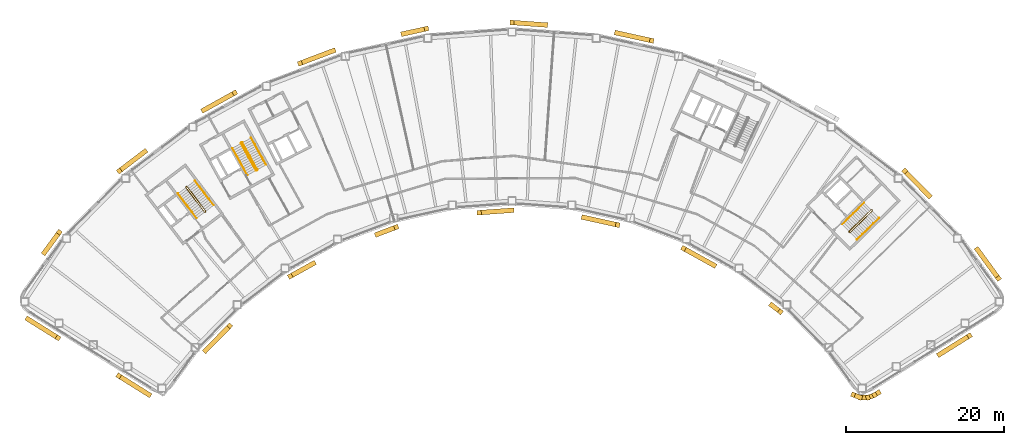
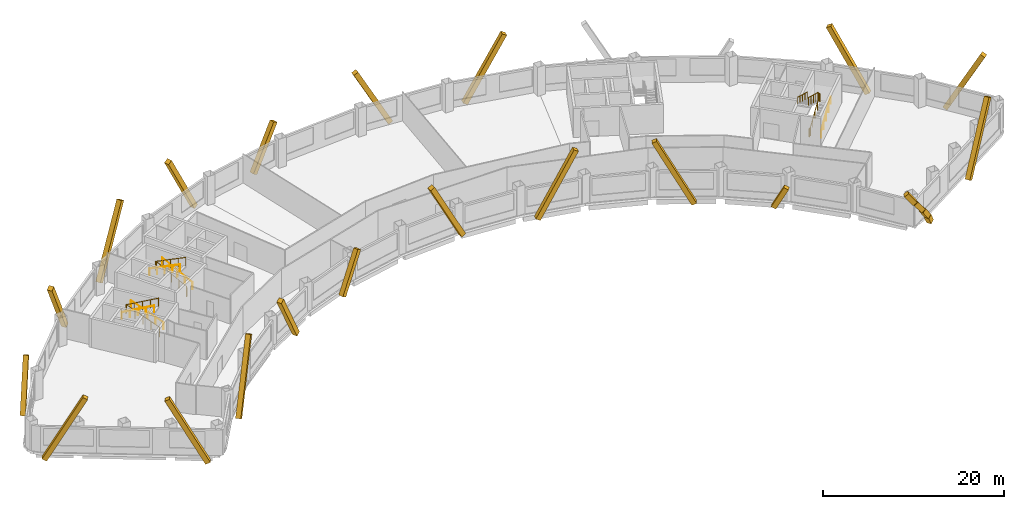
# One storey, part 10 of 11: 23 coverings, 9 railings.
"""IFC4 building model written with IfcOpenShell, lengths in metres."""

from ifc_helpers import new_model, si_unit, direction, frame, origin, origin_2d, place, context, subcontext, project, spatial, rectangle, circle, extrude, material, material_profile, profile_set, type_object, element, save


model = new_model("IFC4")

# Units and contexts
model_context = context("Model", 3, precision=1e-05, world=origin(), true_north=direction((0.0, 1.0)))
body_context = subcontext(model_context, "Body", "Model", "MODEL_VIEW")
ifc_project = project(units=[si_unit("LENGTHUNIT", "METRE"), si_unit("AREAUNIT", "SQUARE_METRE"), si_unit("VOLUMEUNIT", "CUBIC_METRE"), si_unit("PLANEANGLEUNIT", "RADIAN"), si_unit("MASSUNIT", "GRAM", prefix="KILO")], contexts=[model_context])

# Site, building, storey
site_placement = place(None, origin())
site = spatial("IfcSite", under=ifc_project, at=site_placement, CompositionType="ELEMENT")
building_placement = place(site_placement, origin())
building = spatial("IfcBuilding", under=site, at=building_placement, Name="Tuul Gate Civic Tower", CompositionType="ELEMENT")
storey_placement = place(building_placement, frame((0.0, 0.0, 155.0)))
storey = spatial("IfcBuildingStorey", under=building, at=storey_placement, Name="Level 35", CompositionType="ELEMENT", Elevation=155.0)

# Railings
ifc_material_1 = material(Name="Painted steel", Category="steel")
railing_type_1 = type_object("IfcRailingType", Name="Stair guard", PredefinedType="GUARDRAIL", material=ifc_material_1)
railing_1_placement = place(storey_placement, frame((-33.382080078125, -13.515380859375, 0.0)))
element("IfcRailing", 1, at=railing_1_placement, inside=storey, type_object=railing_type_1, Name="Level 35 ST-1 stair guard 1", PredefinedType="GUARDRAIL", context=body_context, shape_type="SweptSolid", body=[
    extrude(circle(Radius=0.02392578125, at=origin_2d()), frame((0.0, 0.0, 1.076171875), z_axis=(-0.795879841968, -0.605454603706, 0.0), x_axis=(0.605454603706, -0.795879841968, 0.0)), (0.0, 0.0, 1.0), 0.10009765625),
    extrude(circle(Radius=0.02392578125, at=origin_2d()), frame((-0.07958984375, -0.060546875, 1.076171875), z_axis=(0.408991890351, 0.599481263939, 0.688002796371), x_axis=(-0.826063974707, 0.563576356576, 0.0)), (0.0, 0.0, 1.0), 0.2177734375),
    extrude(circle(Radius=0.02392578125, at=origin_2d()), frame((0.009521484375, 0.070068359375, 1.22607421875), z_axis=(-0.541810893183, 0.711627203922, 0.44724454012), x_axis=(-0.795637165283, -0.60577347352, 0.0)), (0.0, 0.0, 1.0), 4.3603515625),
    extrude(circle(Radius=0.02392578125, at=origin_2d()), frame((-2.35302734375, 3.173095703125, 3.17626953125), z_axis=(-0.990893089246, 0.134650977284, 0.0), x_axis=(-0.134650977284, -0.990893089246, 0.0)), (0.0, 0.0, 1.0), 0.07080078125),
    extrude(circle(Radius=0.02392578125, at=origin_2d()), frame((-2.423095703125, 3.1826171875, 3.17626953125), z_axis=(-0.793802879778, -0.60817512943, 0.0), x_axis=(0.60817512943, -0.793802879778, 0.0)), (0.0, 0.0, 1.0), 0.099853515625),
    extrude(circle(Radius=0.02392578125, at=origin_2d()), frame((-2.50244140625, 3.121826171875, 3.17626953125), z_axis=(-0.057447065493, -0.422751481959, 0.904423031091), x_axis=(0.990893089246, -0.134650977284, 0.0)), (0.0, 0.0, 1.0), 0.165771484375),
    extrude(circle(Radius=0.02392578125, at=origin_2d()), frame((-2.511962890625, 3.0517578125, 3.326171875), z_axis=(0.541806494602, -0.71163897684, 0.447231136047), x_axis=(0.795644365679, 0.605764016233, 0.0)), (0.0, 0.0, 1.0), 4.360107421875),
    extrude(circle(Radius=0.02099609375, at=origin_2d()), origin(), (0.0, 0.0, 1.0), 1.052001953125),
    extrude(circle(Radius=0.02099609375, at=origin_2d()), frame((-0.07958984375, -0.060546875, 0.0)), (0.0, 0.0, 1.0), 1.052001953125),
    extrude(circle(Radius=0.02099609375, at=origin_2d()), frame((0.009521484375, 0.070068359375, 0.14990234375)), (0.0, 0.0, 1.0), 1.052001953125),
    extrude(circle(Radius=0.02099609375, at=origin_2d()), frame((-0.5810546875, 0.845703125, 0.637451171875)), (0.0, 0.0, 1.0), 1.052001953125),
    extrude(circle(Radius=0.02099609375, at=origin_2d()), frame((-1.171875, 1.62158203125, 1.125)), (0.0, 0.0, 1.0), 1.052001953125),
    extrude(circle(Radius=0.02099609375, at=origin_2d()), frame((-1.762451171875, 2.3974609375, 1.612548828125)), (0.0, 0.0, 1.0), 1.052001953125),
    extrude(circle(Radius=0.02099609375, at=origin_2d()), frame((-2.35302734375, 3.173095703125, 2.10009765625)), (0.0, 0.0, 1.0), 1.052001953125),
    extrude(circle(Radius=0.02099609375, at=origin_2d()), frame((-2.423095703125, 3.1826171875, 2.10009765625)), (0.0, 0.0, 1.0), 1.052001953125),
    extrude(circle(Radius=0.02099609375, at=origin_2d()), frame((-2.50244140625, 3.121826171875, 2.10009765625)), (0.0, 0.0, 1.0), 1.052001953125),
    extrude(circle(Radius=0.02099609375, at=origin_2d()), frame((-2.511962890625, 3.0517578125, 2.25)), (0.0, 0.0, 1.0), 1.052001953125),
    extrude(circle(Radius=0.02099609375, at=origin_2d()), frame((-1.92138671875, 2.276123046875, 2.737548828125)), (0.0, 0.0, 1.0), 1.052001953125),
    extrude(circle(Radius=0.02099609375, at=origin_2d()), frame((-1.330810546875, 1.50048828125, 3.22509765625)), (0.0, 0.0, 1.0), 1.052001953125),
    extrude(circle(Radius=0.02099609375, at=origin_2d()), frame((-0.740234375, 0.724609375, 3.71240234375)), (0.0, 0.0, 1.0), 1.052001953125),
    extrude(circle(Radius=0.02099609375, at=origin_2d()), frame((-0.149658203125, -0.051025390625, 4.199951171875)), (0.0, 0.0, 1.0), 1.052001953125),
])
railing_2_placement = place(storey_placement, frame((-26.857666015625, -8.247314453125, 0.0)))
element("IfcRailing", 2, at=railing_2_placement, inside=storey, type_object=railing_type_1, Name="Level 35 ST-2 stair guard 1", PredefinedType="GUARDRAIL", context=body_context, shape_type="SweptSolid", body=[
    extrude(circle(Radius=0.02392578125, at=origin_2d()), frame((0.0, 0.0, 1.076171875), z_axis=(-0.874616555828, -0.48481530532, 0.0), x_axis=(0.48481530532, -0.874616555828, 0.0)), (0.0, 0.0, 1.0), 0.10009765625),
    extrude(circle(Radius=0.02392578125, at=origin_2d()), frame((-0.087646484375, -0.048583984375, 1.076171875), z_axis=(0.49081399482, 0.534516610797, 0.688036056665), x_axis=(-0.736576986774, 0.676353711126, 0.0)), (0.0, 0.0, 1.0), 0.2177734375),
    extrude(circle(Radius=0.02392578125, at=origin_2d()), frame((0.019287109375, 0.06787109375, 1.22607421875), z_axis=(-0.433539057192, 0.782307594871, 0.447256875739), x_axis=(-0.874667644053, -0.484723129681, 0.0)), (0.0, 0.0, 1.0), 4.3603515625),
    extrude(circle(Radius=0.02392578125, at=origin_2d()), frame((-1.87109375, 3.47900390625, 3.17626953125), z_axis=(-0.961263487578, 0.275631107549, 0.0), x_axis=(-0.275631107549, -0.961263487578, 0.0)), (0.0, 0.0, 1.0), 0.07080078125),
    extrude(circle(Radius=0.02392578125, at=origin_2d()), frame((-1.939208984375, 3.49853515625, 3.17626953125), z_axis=(-0.874042088414, -0.485850211157, 0.0), x_axis=(0.485850211157, -0.874042088414, 0.0)), (0.0, 0.0, 1.0), 0.10009765625),
    extrude(circle(Radius=0.02392578125, at=origin_2d()), frame((-2.026611328125, 3.449951171875, 3.17626953125), z_axis=(-0.117866478395, -0.409586012422, 0.90462522168), x_axis=(0.961000426733, -0.276546885391, 0.0)), (0.0, 0.0, 1.0), 0.165771484375),
    extrude(circle(Radius=0.02392578125, at=origin_2d()), frame((-2.046142578125, 3.382080078125, 3.326171875), z_axis=(0.433595379963, -0.782308193291, 0.447201226726), x_axis=(0.874641102302, 0.484771020343, 0.0)), (0.0, 0.0, 1.0), 4.3603515625),
    extrude(circle(Radius=0.02099609375, at=origin_2d()), origin(), (0.0, 0.0, 1.0), 1.052001953125),
    extrude(circle(Radius=0.02099609375, at=origin_2d()), frame((-0.087646484375, -0.048583984375, 0.0)), (0.0, 0.0, 1.0), 1.052001953125),
    extrude(circle(Radius=0.02099609375, at=origin_2d()), frame((0.019287109375, 0.06787109375, 0.14990234375)), (0.0, 0.0, 1.0), 1.052001953125),
    extrude(circle(Radius=0.02099609375, at=origin_2d()), frame((-0.453369140625, 0.920654296875, 0.637451171875)), (0.0, 0.0, 1.0), 1.052001953125),
    extrude(circle(Radius=0.02099609375, at=origin_2d()), frame((-0.92578125, 1.7734375, 1.125)), (0.0, 0.0, 1.0), 1.052001953125),
    extrude(circle(Radius=0.02099609375, at=origin_2d()), frame((-1.3984375, 2.626220703125, 1.612548828125)), (0.0, 0.0, 1.0), 1.052001953125),
    extrude(circle(Radius=0.02099609375, at=origin_2d()), frame((-1.87109375, 3.47900390625, 2.10009765625)), (0.0, 0.0, 1.0), 1.052001953125),
    extrude(circle(Radius=0.02099609375, at=origin_2d()), frame((-1.939208984375, 3.49853515625, 2.10009765625)), (0.0, 0.0, 1.0), 1.052001953125),
    extrude(circle(Radius=0.02099609375, at=origin_2d()), frame((-2.026611328125, 3.449951171875, 2.10009765625)), (0.0, 0.0, 1.0), 1.052001953125),
    extrude(circle(Radius=0.02099609375, at=origin_2d()), frame((-2.046142578125, 3.382080078125, 2.25)), (0.0, 0.0, 1.0), 1.052001953125),
    extrude(circle(Radius=0.02099609375, at=origin_2d()), frame((-1.573486328125, 2.529296875, 2.737548828125)), (0.0, 0.0, 1.0), 1.052001953125),
    extrude(circle(Radius=0.02099609375, at=origin_2d()), frame((-1.100830078125, 1.676513671875, 3.22509765625)), (0.0, 0.0, 1.0), 1.052001953125),
    extrude(circle(Radius=0.02099609375, at=origin_2d()), frame((-0.628173828125, 0.82373046875, 3.71240234375)), (0.0, 0.0, 1.0), 1.052001953125),
    extrude(circle(Radius=0.02099609375, at=origin_2d()), frame((-0.155517578125, -0.029052734375, 4.199951171875)), (0.0, 0.0, 1.0), 1.052001953125),
])
railing_3_placement = place(storey_placement, frame((48.10546875, -16.134765625, 0.0)))
element("IfcRailing", 3, at=railing_3_placement, inside=storey, type_object=railing_type_1, Name="Level 35 ST-3 stair guard 1", PredefinedType="GUARDRAIL", context=body_context, shape_type="SweptSolid", body=[
    extrude(circle(Radius=0.02392578125, at=origin_2d()), frame((0.0, 0.0, 1.076171875), z_axis=(-0.698506948293, 0.715603272202, 0.0), x_axis=(-0.715603272202, -0.698506948293, 0.0)), (0.0, 0.0, 1.0), 0.099853515625),
    extrude(circle(Radius=0.02392578125, at=origin_2d()), frame((-0.06982421875, 0.071533203125, 1.076171875), z_axis=(0.645446321009, -0.331687692741, 0.688027849131), x_axis=(0.457068866502, 0.889431307788, 0.0)), (0.0, 0.0, 1.0), 0.2177734375),
    extrude(circle(Radius=0.02392578125, at=origin_2d()), frame((0.07080078125, -0.000732421875, 1.22607421875), z_axis=(0.638715268259, 0.626117886127, 0.447235059857), x_axis=(-0.700029477518, 0.714113947914, 0.0)), (0.0, 0.0, 1.0), 4.360595703125),
    extrude(circle(Radius=0.02392578125, at=origin_2d()), frame((2.85595703125, 2.7294921875, 3.17626953125), z_axis=(0.010380063588, 0.999946125689, 0.0), x_axis=(-0.999946125689, 0.010380063588, 0.0)), (0.0, 0.0, 1.0), 0.070556640625),
    extrude(circle(Radius=0.02392578125, at=origin_2d()), frame((2.856689453125, 2.800048828125, 3.17626953125), z_axis=(-0.699754442181, 0.714383454909, 0.0), x_axis=(-0.714383454909, -0.699754442181, 0.0)), (0.0, 0.0, 1.0), 0.10009765625),
    extrude(circle(Radius=0.02392578125, at=origin_2d()), frame((2.78662109375, 2.87158203125, 3.17626953125), z_axis=(-0.427069033481, 0.004417955519, 0.904208229508), x_axis=(-0.010344274102, -0.999946496565, 0.0)), (0.0, 0.0, 1.0), 0.165771484375),
    extrude(circle(Radius=0.02392578125, at=origin_2d()), frame((2.7158203125, 2.872314453125, 3.326171875), z_axis=(-0.638731261263, -0.626133563701, 0.447190268558), x_axis=(0.700029477518, -0.714113947914, 0.0)), (0.0, 0.0, 1.0), 4.3603515625),
    extrude(circle(Radius=0.02099609375, at=origin_2d()), origin(), (0.0, 0.0, 1.0), 1.052001953125),
    extrude(circle(Radius=0.02099609375, at=origin_2d()), frame((-0.06982421875, 0.071533203125, 0.0)), (0.0, 0.0, 1.0), 1.052001953125),
    extrude(circle(Radius=0.02099609375, at=origin_2d()), frame((0.07080078125, -0.000732421875, 0.14990234375)), (0.0, 0.0, 1.0), 1.052001953125),
    extrude(circle(Radius=0.02099609375, at=origin_2d()), frame((0.76708984375, 0.681884765625, 0.637451171875)), (0.0, 0.0, 1.0), 1.052001953125),
    extrude(circle(Radius=0.02099609375, at=origin_2d()), frame((1.46337890625, 1.3642578125, 1.125)), (0.0, 0.0, 1.0), 1.052001953125),
    extrude(circle(Radius=0.02099609375, at=origin_2d()), frame((2.15966796875, 2.046875, 1.612548828125)), (0.0, 0.0, 1.0), 1.052001953125),
    extrude(circle(Radius=0.02099609375, at=origin_2d()), frame((2.85595703125, 2.7294921875, 2.10009765625)), (0.0, 0.0, 1.0), 1.052001953125),
    extrude(circle(Radius=0.02099609375, at=origin_2d()), frame((2.856689453125, 2.800048828125, 2.10009765625)), (0.0, 0.0, 1.0), 1.052001953125),
    extrude(circle(Radius=0.02099609375, at=origin_2d()), frame((2.78662109375, 2.87158203125, 2.10009765625)), (0.0, 0.0, 1.0), 1.052001953125),
    extrude(circle(Radius=0.02099609375, at=origin_2d()), frame((2.7158203125, 2.872314453125, 2.25)), (0.0, 0.0, 1.0), 1.052001953125),
    extrude(circle(Radius=0.02099609375, at=origin_2d()), frame((2.01953125, 2.189697265625, 2.737548828125)), (0.0, 0.0, 1.0), 1.052001953125),
    extrude(circle(Radius=0.02099609375, at=origin_2d()), frame((1.3232421875, 1.50732421875, 3.22509765625)), (0.0, 0.0, 1.0), 1.052001953125),
    extrude(circle(Radius=0.02099609375, at=origin_2d()), frame((0.626953125, 0.82470703125, 3.71240234375)), (0.0, 0.0, 1.0), 1.052001953125),
    extrude(circle(Radius=0.02099609375, at=origin_2d()), frame((-0.0693359375, 0.14208984375, 4.199951171875)), (0.0, 0.0, 1.0), 1.052001953125),
])
ifc_material_2 = material(Name="Painted steel", Category="steel")
railing_type_2 = type_object("IfcRailingType", Name="Stair handrail", PredefinedType="HANDRAIL", material=ifc_material_2)
railing_4_placement = place(storey_placement, frame((-32.3779296875, -12.688232421875, 0.14990234375)))
element("IfcRailing", 4, at=railing_4_placement, inside=storey, type_object=railing_type_2, Name="Level 35 ST-1 stair handrail 1", PredefinedType="HANDRAIL", context=body_context, shape_type="SweptSolid", body=[
    extrude(circle(Radius=0.02392578125, at=origin_2d()), frame((0.0, 0.0, 0.8759765625), z_axis=(-0.541810893183, 0.711627203922, 0.44724454012), x_axis=(-0.795637165283, -0.60577347352, 0.0)), (0.0, 0.0, 1.0), 4.3603515625),
    extrude(circle(Radius=0.02099609375, at=origin_2d()), origin(), (0.0, 0.0, 1.0), 0.851806640625),
    extrude(circle(Radius=0.02099609375, at=origin_2d()), frame((-0.590576171875, 0.77587890625, 0.487548828125)), (0.0, 0.0, 1.0), 0.851806640625),
    extrude(circle(Radius=0.02099609375, at=origin_2d()), frame((-1.18115234375, 1.551513671875, 0.97509765625)), (0.0, 0.0, 1.0), 0.851806640625),
    extrude(circle(Radius=0.02099609375, at=origin_2d()), frame((-1.77197265625, 2.3271484375, 1.462646484375)), (0.0, 0.0, 1.0), 0.851806640625),
    extrude(circle(Radius=0.02099609375, at=origin_2d()), frame((-2.362548828125, 3.10302734375, 1.9501953125)), (0.0, 0.0, 1.0), 0.851806640625),
])
railing_5_placement = place(storey_placement, frame((-36.888671875, -11.220703125, 2.25)))
element("IfcRailing", 5, at=railing_5_placement, inside=storey, type_object=railing_type_2, Name="Level 35 ST-1 stair handrail 2", PredefinedType="HANDRAIL", context=body_context, shape_type="SweptSolid", body=[
    extrude(circle(Radius=0.02392578125, at=origin_2d()), frame((0.0, 0.0, 0.8759765625), z_axis=(0.541824460341, -0.711645023348, 0.447199748346), x_axis=(0.795637165283, 0.60577347352, 0.0)), (0.0, 0.0, 1.0), 4.3603515625),
    extrude(circle(Radius=0.02099609375, at=origin_2d()), origin(), (0.0, 0.0, 1.0), 0.851806640625),
    extrude(circle(Radius=0.02099609375, at=origin_2d()), frame((0.590576171875, -0.77587890625, 0.487548828125)), (0.0, 0.0, 1.0), 0.851806640625),
    extrude(circle(Radius=0.02099609375, at=origin_2d()), frame((1.18115234375, -1.551513671875, 0.97509765625)), (0.0, 0.0, 1.0), 0.851806640625),
    extrude(circle(Radius=0.02099609375, at=origin_2d()), frame((1.77197265625, -2.3271484375, 1.46240234375)), (0.0, 0.0, 1.0), 0.851806640625),
    extrude(circle(Radius=0.02099609375, at=origin_2d()), frame((2.362548828125, -3.10302734375, 1.949951171875)), (0.0, 0.0, 1.0), 0.851806640625),
])
railing_6_placement = place(storey_placement, frame((-25.744873046875, -7.573486328125, 0.14990234375)))
element("IfcRailing", 6, at=railing_6_placement, inside=storey, type_object=railing_type_2, Name="Level 35 ST-2 stair handrail 1", PredefinedType="HANDRAIL", context=body_context, shape_type="SweptSolid", body=[
    extrude(circle(Radius=0.02392578125, at=origin_2d()), frame((0.0, 0.0, 0.8759765625), z_axis=(-0.433584522764, 0.782288604346, 0.447246018574), x_axis=(-0.874641102302, -0.484771020343, 0.0)), (0.0, 0.0, 1.0), 4.3603515625),
    extrude(circle(Radius=0.02099609375, at=origin_2d()), origin(), (0.0, 0.0, 1.0), 0.851806640625),
    extrude(circle(Radius=0.02099609375, at=origin_2d()), frame((-0.47265625, 0.852783203125, 0.487548828125)), (0.0, 0.0, 1.0), 0.851806640625),
    extrude(circle(Radius=0.02099609375, at=origin_2d()), frame((-0.9453125, 1.70556640625, 0.97509765625)), (0.0, 0.0, 1.0), 0.851806640625),
    extrude(circle(Radius=0.02099609375, at=origin_2d()), frame((-1.41796875, 2.558349609375, 1.462646484375)), (0.0, 0.0, 1.0), 0.851806640625),
    extrude(circle(Radius=0.02099609375, at=origin_2d()), frame((-1.890625, 3.4111328125, 1.9501953125)), (0.0, 0.0, 1.0), 0.851806640625),
])
railing_7_placement = place(storey_placement, frame((-29.9970703125, -5.47119140625, 2.25)))
element("IfcRailing", 7, at=railing_7_placement, inside=storey, type_object=railing_type_2, Name="Level 35 ST-2 stair handrail 2", PredefinedType="HANDRAIL", context=body_context, shape_type="SweptSolid", body=[
    extrude(circle(Radius=0.02392578125, at=origin_2d()), frame((0.0, 0.0, 0.8759765625), z_axis=(0.433595379963, -0.782308193291, 0.447201226726), x_axis=(0.874641102302, 0.484771020343, 0.0)), (0.0, 0.0, 1.0), 4.3603515625),
    extrude(circle(Radius=0.02099609375, at=origin_2d()), origin(), (0.0, 0.0, 1.0), 0.851806640625),
    extrude(circle(Radius=0.02099609375, at=origin_2d()), frame((0.47265625, -0.852783203125, 0.487548828125)), (0.0, 0.0, 1.0), 0.851806640625),
    extrude(circle(Radius=0.02099609375, at=origin_2d()), frame((0.9453125, -1.70556640625, 0.97509765625)), (0.0, 0.0, 1.0), 0.851806640625),
    extrude(circle(Radius=0.02099609375, at=origin_2d()), frame((1.41796875, -2.558349609375, 1.46240234375)), (0.0, 0.0, 1.0), 0.851806640625),
    extrude(circle(Radius=0.02099609375, at=origin_2d()), frame((1.890625, -3.4111328125, 1.949951171875)), (0.0, 0.0, 1.0), 0.851806640625),
])
railing_8_placement = place(storey_placement, frame((49.05126953125, -17.028076171875, 0.14990234375)))
element("IfcRailing", 8, at=railing_8_placement, inside=storey, type_object=railing_type_2, Name="Level 35 ST-3 stair handrail 1", PredefinedType="HANDRAIL", context=body_context, shape_type="SweptSolid", body=[
    extrude(circle(Radius=0.02392578125, at=origin_2d()), frame((0.0, 0.0, 0.8759765625), z_axis=(0.638737658801, 0.626083844733, 0.447250737947), x_axis=(-0.699997553204, 0.714145241186, 0.0)), (0.0, 0.0, 1.0), 4.3603515625),
    extrude(circle(Radius=0.02099609375, at=origin_2d()), origin(), (0.0, 0.0, 1.0), 0.851806640625),
    extrude(circle(Radius=0.02099609375, at=origin_2d()), frame((0.6962890625, 0.6826171875, 0.487548828125)), (0.0, 0.0, 1.0), 0.851806640625),
    extrude(circle(Radius=0.02099609375, at=origin_2d()), frame((1.392578125, 1.364990234375, 0.97509765625)), (0.0, 0.0, 1.0), 0.851806640625),
    extrude(circle(Radius=0.02099609375, at=origin_2d()), frame((2.0888671875, 2.04736328125, 1.462646484375)), (0.0, 0.0, 1.0), 0.851806640625),
    extrude(circle(Radius=0.02099609375, at=origin_2d()), frame((2.78515625, 2.72998046875, 1.9501953125)), (0.0, 0.0, 1.0), 0.851806640625),
])
railing_9_placement = place(storey_placement, frame((49.9462890625, -12.369873046875, 2.25)))
element("IfcRailing", 9, at=railing_9_placement, inside=storey, type_object=railing_type_2, Name="Level 35 ST-3 stair handrail 2", PredefinedType="HANDRAIL", context=body_context, shape_type="SweptSolid", body=[
    extrude(circle(Radius=0.02392578125, at=origin_2d()), frame((0.0, 0.0, 0.8759765625), z_axis=(-0.638753653487, -0.626099522554, 0.447205945863), x_axis=(0.699997553204, -0.714145241186, 0.0)), (0.0, 0.0, 1.0), 4.3603515625),
    extrude(circle(Radius=0.02099609375, at=origin_2d()), origin(), (0.0, 0.0, 1.0), 0.851806640625),
    extrude(circle(Radius=0.02099609375, at=origin_2d()), frame((-0.6962890625, -0.6826171875, 0.487548828125)), (0.0, 0.0, 1.0), 0.851806640625),
    extrude(circle(Radius=0.02099609375, at=origin_2d()), frame((-1.392578125, -1.364990234375, 0.97509765625)), (0.0, 0.0, 1.0), 0.851806640625),
    extrude(circle(Radius=0.02099609375, at=origin_2d()), frame((-2.0888671875, -2.04736328125, 1.46240234375)), (0.0, 0.0, 1.0), 0.851806640625),
    extrude(circle(Radius=0.02099609375, at=origin_2d()), frame((-2.78515625, -2.72998046875, 1.949951171875)), (0.0, 0.0, 1.0), 0.851806640625),
])

# Coverings
ifc_material_3 = material(Name="Terracotta baguette", Category="masonry")
ifc_material_profile = material_profile(ifc_material_3, rectangle(XDim=0.60009765625, YDim=0.60009765625, at=origin_2d()), Name="Terracotta baguette screen frame")
ifc_profile_set = profile_set([ifc_material_profile], Name="Terracotta baguette")
covering_type = type_object("IfcCoveringType", Name="Terracotta baguette screen frame", PredefinedType="CLADDING", material=ifc_profile_set)
covering_1_placement = place(storey_placement, frame((59.436279296875, -31.59228515625, -0.35009765625), z_axis=(0.402307996588, 0.251352948263, 0.880323787751), x_axis=(-0.529863185224, 0.848083135633, 0.0)))
element("IfcCovering", 10, at=covering_1_placement, inside=storey, type_object=covering_type, Name="Baguette 2", PredefinedType="CLADDING", context=body_context, shape_type="SweptSolid", body=[
    extrude(rectangle(XDim=0.60009765625, YDim=0.60009765625, at=origin_2d()), origin(), (0.0, 0.0, 1.0), 9.5419921875),
])
covering_2_placement = place(storey_placement, frame((66.93359375, -21.952880859375, 8.050048828125), z_axis=(-0.281337946995, 0.385249583854, -0.878880946272), x_axis=(-0.807581408805, -0.589756109042, 0.0)))
element("IfcCovering", 11, at=covering_2_placement, inside=storey, type_object=covering_type, Name="Baguette 19", PredefinedType="CLADDING", context=body_context, shape_type="SweptSolid", body=[
    extrude(rectangle(XDim=0.60009765625, YDim=0.60009765625, at=origin_2d()), origin(), (0.0, 0.0, 1.0), 9.557861328125),
])
covering_3_placement = place(storey_placement, frame((55.067626953125, -8.357177734375, 7.882080078125), z_axis=(0.332633387091, -0.339313715568, -0.879898421535), x_axis=(0.714101368885, 0.700042309404, 0.0)))
element("IfcCovering", 12, at=covering_3_placement, inside=storey, type_object=covering_type, Name="Baguette 35", PredefinedType="CLADDING", context=body_context, shape_type="SweptSolid", body=[
    extrude(rectangle(XDim=0.60009765625, YDim=0.60009765625, at=origin_2d()), origin(), (0.0, 0.0, 1.0), 9.355712890625),
])
covering_4_placement = place(storey_placement, frame((23.056640625, 8.139404296875, 8.050048828125), z_axis=(-0.464027544082, 0.102242056833, -0.879900562648), x_axis=(-0.215174921103, -0.976575523617, 0.0)))
element("IfcCovering", 13, at=covering_4_placement, inside=storey, type_object=covering_type, Name="Baguette 61", PredefinedType="CLADDING", context=body_context, shape_type="SweptSolid", body=[
    extrude(rectangle(XDim=0.60009765625, YDim=0.60009765625, at=origin_2d()), origin(), (0.0, 0.0, 1.0), 9.546630859375),
])
covering_5_placement = place(storey_placement, frame((5.3740234375, 10.43505859375, 7.55126953125), z_axis=(0.473909402037, -0.034338108816, -0.87990384301), x_axis=(0.072267661138, 0.997385274181, 0.0)))
element("IfcCovering", 14, at=covering_5_placement, inside=storey, type_object=covering_type, Name="Baguette 77", PredefinedType="CLADDING", context=body_context, shape_type="SweptSolid", body=[
    extrude(rectangle(XDim=0.60009765625, YDim=0.60009765625, at=origin_2d()), origin(), (0.0, 0.0, 1.0), 8.979736328125),
])
covering_6_placement = place(storey_placement, frame((-5.448486328125, 9.651123046875, 5.255859375), z_axis=(-0.464016223624, -0.102275935325, -0.879902595329), x_axis=(0.21524792572, -0.976559435198, 0.0)))
element("IfcCovering", 15, at=covering_6_placement, inside=storey, type_object=covering_type, Name="Baguette 84", PredefinedType="CLADDING", context=body_context, shape_type="SweptSolid", body=[
    extrude(rectangle(XDim=0.60009765625, YDim=0.60009765625, at=origin_2d()), origin(), (0.0, 0.0, 1.0), 6.37109375),
])
for number, where, z_axis, x_axis, name in (
    (16, (-21.4560546875, 5.26953125, 8.050048828125), (0.444439006593, 0.168067964286, -0.879901772245), (-0.353711403676, 0.935354608108, 0.0), "Baguette 98"),
    (17, (-29.69873046875, 1.535400390625, 8.050048828125), (-0.415589804816, -0.230363236834, -0.879896524171), (0.484806475071, -0.874621450531, 0.0), "Baguette 103"),
):
    element("IfcCovering", number, at=place(storey_placement, frame(where, z_axis=z_axis, x_axis=x_axis)), inside=storey, type_object=covering_type, Name=name, PredefinedType="CLADDING", context=body_context, shape_type="SweptSolid", body=[
        extrude(rectangle(XDim=0.60009765625, YDim=0.60009765625, at=origin_2d()), origin(), (0.0, 0.0, 1.0), 9.546630859375),
    ])
covering_7_placement = place(storey_placement, frame((-44.319580078125, -8.357177734375, 7.22021484375), z_axis=(0.378058377927, 0.287849897598, -0.879894481931), x_axis=(-0.605784088949, 0.795629082913, 0.0)))
element("IfcCovering", 18, at=covering_7_placement, inside=storey, type_object=covering_type, Name="Baguette 119", PredefinedType="CLADDING", context=body_context, shape_type="SweptSolid", body=[
    extrude(rectangle(XDim=0.60009765625, YDim=0.60009765625, at=origin_2d()), origin(), (0.0, 0.0, 1.0), 8.603759765625),
])
covering_8_placement = place(storey_placement, frame((-51.91552734375, -16.105712890625, 5.586669921875), z_axis=(-0.281335250855, -0.385245688445, -0.878883516833), x_axis=(0.807581260464, -0.589756312173, 0.0)))
element("IfcCovering", 19, at=covering_8_placement, inside=storey, type_object=covering_type, Name="Baguette 126", PredefinedType="CLADDING", context=body_context, shape_type="SweptSolid", body=[
    extrude(rectangle(XDim=0.60009765625, YDim=0.60009765625, at=origin_2d()), origin(), (0.0, 0.0, 1.0), 6.7548828125),
])
for number, where, z_axis, x_axis, name in (
    (20, (-52.0712890625, -29.478515625, 8.050048828125), (-0.402305409232, 0.251376917178, -0.880318126141), (-0.529901976461, -0.848058898511, 0.0), "Baguette 151"),
    (21, (-44.393798828125, -34.27587890625, 8.050048828125), (0.402302821663, -0.251400885631, -0.880312464064), (0.529940764372, 0.848034661, 0.0), "Baguette 155"),
):
    element("IfcCovering", number, at=place(storey_placement, frame(where, z_axis=z_axis, x_axis=x_axis)), inside=storey, type_object=covering_type, Name=name, PredefinedType="CLADDING", context=body_context, shape_type="SweptSolid", body=[
        extrude(rectangle(XDim=0.60009765625, YDim=0.60009765625, at=origin_2d()), origin(), (0.0, 0.0, 1.0), 9.542236328125),
    ])
covering_9_placement = place(storey_placement, frame((-30.33349609375, -27.94580078125, 8.050048828125), z_axis=(-0.326323130561, -0.332879934461, -0.884705693264), x_axis=(0.714104738574, -0.700038872025, 0.0)))
element("IfcCovering", 22, at=covering_9_placement, inside=storey, type_object=covering_type, Name="Baguette 183", PredefinedType="CLADDING", context=body_context, shape_type="SweptSolid", body=[
    extrude(rectangle(XDim=0.60009765625, YDim=0.60009765625, at=origin_2d()), origin(), (0.0, 0.0, 1.0), 9.494873046875),
])
covering_10_placement = place(storey_placement, frame((-22.69482421875, -21.6796875, 6.06201171875), z_axis=(0.407693107451, 0.225994634214, -0.884710548962), x_axis=(-0.484820540629, 0.874613653783, 0.0)))
element("IfcCovering", 23, at=covering_10_placement, inside=storey, type_object=covering_type, Name="Baguette 191", PredefinedType="CLADDING", context=body_context, shape_type="SweptSolid", body=[
    extrude(rectangle(XDim=0.60009765625, YDim=0.60009765625, at=origin_2d()), origin(), (0.0, 0.0, 1.0), 7.247802734375),
])
covering_11_placement = place(storey_placement, frame((-9.2685546875, -15.459716796875, 4.594482421875), z_axis=(-0.436037648958, -0.16485735195, -0.884699509551), x_axis=(0.353648388587, -0.935378435314, 0.0)))
element("IfcCovering", 24, at=covering_11_placement, inside=storey, type_object=covering_type, Name="Baguette 209", PredefinedType="CLADDING", context=body_context, shape_type="SweptSolid", body=[
    extrude(rectangle(XDim=0.60009765625, YDim=0.60009765625, at=origin_2d()), origin(), (0.0, 0.0, 1.0), 5.589111328125),
])
covering_12_placement = place(storey_placement, frame((1.2216796875, -13.6279296875, 8.050048828125), z_axis=(0.464931906638, 0.033705376346, -0.884704622908), x_axis=(-0.072305541975, 0.997382528722, 0.0)))
element("IfcCovering", 25, at=covering_12_placement, inside=storey, type_object=covering_type, Name="Baguette 216", PredefinedType="CLADDING", context=body_context, shape_type="SweptSolid", body=[
    extrude(rectangle(XDim=0.60009765625, YDim=0.60009765625, at=origin_2d()), origin(), (0.0, 0.0, 1.0), 8.93115234375),
])
for number, where, z_axis, x_axis, name in (
    (26, (18.751708984375, -15.180908203125, 8.050048828125), (-0.455202274542, 0.100333235907, -0.884716977923), (-0.21524797351, -0.976559424664, 0.0), "Baguette 232"),
    (27, (27.07666015625, -18.150634765625, 8.050048828125), (0.407683352224, -0.225993628679, -0.884715301165), (0.484827764604, 0.874609649312, 0.0), "Baguette 238"),
):
    element("IfcCovering", number, at=place(storey_placement, frame(where, z_axis=z_axis, x_axis=x_axis)), inside=storey, type_object=covering_type, Name=name, PredefinedType="CLADDING", context=body_context, shape_type="SweptSolid", body=[
        extrude(rectangle(XDim=0.60009765625, YDim=0.60009765625, at=origin_2d()), origin(), (0.0, 0.0, 1.0), 9.49462890625),
    ])
covering_13_placement = place(storey_placement, frame((39.344482421875, -26.173828125, 2.343017578125), z_axis=(-0.370856598143, 0.282393183837, -0.884714345614), x_axis=(-0.605820279821, -0.795601526241, 0.0)))
element("IfcCovering", 28, at=covering_13_placement, inside=storey, type_object=covering_type, Name="Baguette 255", PredefinedType="CLADDING", context=body_context, shape_type="SweptSolid", body=[
    extrude(rectangle(XDim=0.60009765625, YDim=0.60009765625, at=origin_2d()), origin(), (0.0, 0.0, 1.0), 3.0439453125),
])
covering_14_placement = place(storey_placement, frame((48.540283203125, -36.667724609375, 4.611572265625), z_axis=(0.560318540515, -0.222072864534, -0.797951612564), x_axis=(0.36845020329, 0.929647485715, 0.0)))
element("IfcCovering", 29, at=covering_14_placement, inside=storey, type_object=covering_type, Name="Baguette 272", PredefinedType="CLADDING", context=body_context, shape_type="SweptSolid", body=[
    extrude(rectangle(XDim=0.60009765625, YDim=0.60009765625, at=origin_2d()), origin(), (0.0, 0.0, 1.0), 1.615966796875),
])
covering_15_placement = place(storey_placement, frame((49.44580078125, -37.026611328125, 3.322021484375), z_axis=(0.602487853654, -0.001663078141, -0.798126318555), x_axis=(0.002760340801, 0.999996190252, 0.0)))
element("IfcCovering", 30, at=covering_15_placement, inside=storey, type_object=covering_type, Name="Baguette 273", PredefinedType="CLADDING", context=body_context, shape_type="SweptSolid", body=[
    extrude(rectangle(XDim=0.60009765625, YDim=0.60009765625, at=origin_2d()), origin(), (0.0, 0.0, 1.0), 1.61474609375),
])
covering_16_placement = place(storey_placement, frame((50.418701171875, -37.029296875, 2.033203125), z_axis=(0.53413879264, 0.207849998066, -0.819447453167), x_axis=(-0.362642296801, 0.93192841172, 0.0)))
element("IfcCovering", 31, at=covering_16_placement, inside=storey, type_object=covering_type, Name="Baguette 274", PredefinedType="CLADDING", context=body_context, shape_type="SweptSolid", body=[
    extrude(rectangle(XDim=0.60009765625, YDim=0.60009765625, at=origin_2d()), origin(), (0.0, 0.0, 1.0), 1.57275390625),
])
covering_17_placement = place(storey_placement, frame((51.2587890625, -36.702392578125, 0.744384765625), z_axis=(0.402187670356, 0.251367293972, -0.880374670998), x_axis=(-0.529998940003, 0.847998304005, 0.0)))
element("IfcCovering", 32, at=covering_17_placement, inside=storey, type_object=covering_type, Name="Baguette 275", PredefinedType="CLADDING", context=body_context, shape_type="SweptSolid", body=[
    extrude(rectangle(XDim=0.60009765625, YDim=0.60009765625, at=origin_2d()), origin(), (0.0, 0.0, 1.0), 1.2431640625),
])

save(model, "model.ifc")
